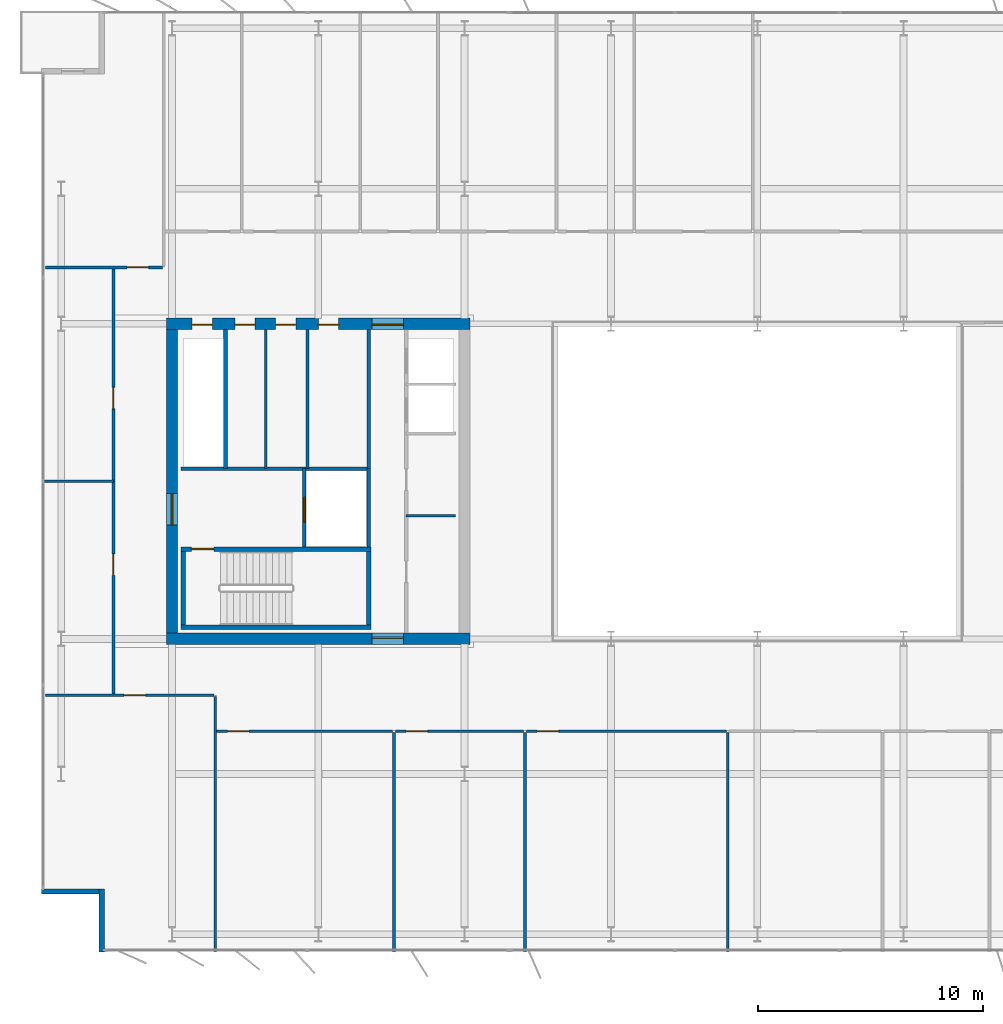
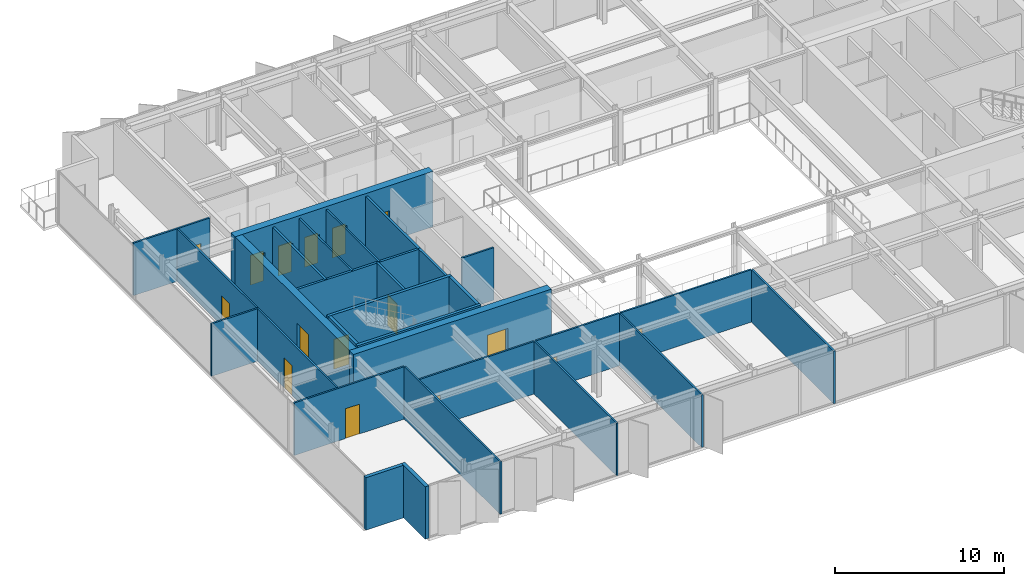
# One storey, part 13 of 21: 29 walls, 16 doors, 16 openings.
"""IFC4 building model written with IfcOpenShell, lengths in metres."""

from ifc_helpers import new_model, si_unit, direction, frame, frame_2d, origin, place, context, subcontext, project, spatial, rectangle, extrude, material, layer, layer_set, type_object, element, fill, save


model = new_model("IFC4")

# Units and contexts
model_context = context("Model", 3, precision=1e-05, world=origin(), true_north=direction((0.0, 1.0)))
body_context = subcontext(model_context, "Body", "Model", "MODEL_VIEW")
ifc_project = project(units=[si_unit("LENGTHUNIT", "METRE"), si_unit("AREAUNIT", "SQUARE_METRE"), si_unit("VOLUMEUNIT", "CUBIC_METRE"), si_unit("PLANEANGLEUNIT", "RADIAN"), si_unit("MASSUNIT", "GRAM", prefix="KILO")], contexts=[model_context])

# Site, building, storey
site_placement = place(None, origin())
site = spatial("IfcSite", under=ifc_project, at=site_placement, CompositionType="ELEMENT")
building_placement = place(site_placement, origin())
building = spatial("IfcBuilding", under=site, at=building_placement, Name="Putna Gate Headquarters", CompositionType="ELEMENT")
storey_placement = place(building_placement, frame((0.0, 0.0, 278.39990234375)))
storey = spatial("IfcBuildingStorey", under=building, at=storey_placement, Name="L70", CompositionType="ELEMENT", Elevation=278.39990234375)

# Wall, opening, door
ifc_material_1 = material(Name="Concrete C50/60", Category="concrete")
ifc_layer_1 = layer(ifc_material_1, 0.5)
ifc_layer_set_1 = layer_set([ifc_layer_1], Name="Concrete C50/60")
wall_type_1 = type_object("IfcWallType", Name="WALL-CORE-500", PredefinedType="SHEAR", material=ifc_layer_set_1)
wall_1_placement = place(storey_placement, frame((12.75, 19.0, 0.0), z_axis=(0.0, 0.0, 1.0), x_axis=(1.0, 0.0, 0.0)))
wall_1 = element("IfcWall", 1, at=wall_1_placement, inside=storey, type_object=wall_type_1, Name="L70 WC Split Core Shear Wall S", PredefinedType="SHEAR", context=body_context, shape_type="SweptSolid", body=[
    extrude(rectangle(XDim=13.5, YDim=0.5, at=frame_2d((6.75, 0.0))), origin(), (0.0, 0.0, 1.0), 4.0),
])
opening_1_placement = place(wall_1_placement, frame((9.1298828125, 0.0, 0.0)))
opening_1 = element("IfcOpeningElement", 2, at=opening_1_placement, cuts=wall_1, Name="Opening FDD-140", PredefinedType="OPENING", context=body_context, shape_type="SweptSolid", body=[
    extrude(rectangle(XDim=1.39990234375, YDim=2.199951171875, at=frame_2d((0.699951171875, 1.10009765625))), frame((0.0, 0.260009765625, 0.0), z_axis=(0.0, -1.0, 0.0), x_axis=(1.0, 0.0, 0.0)), (0.0, 0.0, 1.0), 0.52001953125),
])
ifc_material_2 = material(Name="Double steel fire door", Category="steel")
door_type_1 = type_object("IfcDoorType", Name="DOOR-FIRE-DBL-1400", OperationType="DOUBLE_DOOR_SINGLE_SWING", PredefinedType="DOOR", material=ifc_material_2)
door_1_placement = place(opening_1_placement, origin())
door_1 = element("IfcDoor", 3, at=door_1_placement, inside=storey, type_object=door_type_1, Name="L70 West Lift Lobby South Door", OperationType="DOUBLE_DOOR_SINGLE_SWING", OverallHeight=2.199951171875, OverallWidth=1.39990234375, PredefinedType="DOOR", context=body_context, shape_type="SweptSolid", body=[
    extrude(rectangle(XDim=1.39990234375, YDim=2.199951171875, at=frame_2d((0.699951171875, 1.10009765625))), frame((0.0, 0.0751953125, 0.0), z_axis=(0.0, -1.0, 0.0), x_axis=(1.0, 0.0, 0.0)), (0.0, 0.0, 1.0), 0.050048828125),
])
fill(opening_1, door_1)

# Wall, openings, doors
wall_2_placement = place(storey_placement, frame((12.75, 33.0, 0.0), z_axis=(0.0, 0.0, 1.0), x_axis=(1.0, 0.0, 0.0)))
wall_2 = element("IfcWall", 4, at=wall_2_placement, inside=storey, type_object=wall_type_1, Name="L70 WC Split Core Shear Wall N", PredefinedType="SHEAR", context=body_context, shape_type="SweptSolid", body=[
    extrude(rectangle(XDim=13.5, YDim=0.5, at=frame_2d((6.75, 0.0))), origin(), (0.0, 0.0, 1.0), 4.0),
])
opening_2_placement = place(wall_2_placement, frame((1.14990234375, 0.0, 0.0)))
opening_2 = element("IfcOpeningElement", 5, at=opening_2_placement, cuts=wall_2, Name="Opening RD-90", PredefinedType="OPENING", context=body_context, shape_type="SweptSolid", body=[
    extrude(rectangle(XDim=0.89990234375, YDim=2.14990234375, at=frame_2d((0.449951171875, 1.074951171875))), frame((0.0, 0.260009765625, 0.0), z_axis=(0.0, -1.0, 0.0), x_axis=(1.0, 0.0, 0.0)), (0.0, 0.0, 1.0), 0.52001953125),
])
opening_3_placement = place(wall_2_placement, frame((3.050048828125, 0.0, 0.0)))
opening_3 = element("IfcOpeningElement", 6, at=opening_3_placement, cuts=wall_2, Name="Opening IDS-90", PredefinedType="OPENING", context=body_context, shape_type="SweptSolid", body=[
    extrude(rectangle(XDim=0.89990234375, YDim=2.14990234375, at=frame_2d((0.449951171875, 1.074951171875))), frame((0.0, 0.260009765625, 0.0), z_axis=(0.0, -1.0, 0.0), x_axis=(1.0, 0.0, 0.0)), (0.0, 0.0, 1.0), 0.52001953125),
])
opening_4_placement = place(wall_2_placement, frame((4.85009765625, 0.0, 0.0)))
opening_4 = element("IfcOpeningElement", 7, at=opening_4_placement, cuts=wall_2, Name="Opening IDS-90", PredefinedType="OPENING", context=body_context, shape_type="SweptSolid", body=[
    extrude(rectangle(XDim=0.89990234375, YDim=2.14990234375, at=frame_2d((0.449951171875, 1.074951171875))), frame((0.0, 0.260009765625, 0.0), z_axis=(0.0, -1.0, 0.0), x_axis=(1.0, 0.0, 0.0)), (0.0, 0.0, 1.0), 0.52001953125),
])
opening_5_placement = place(wall_2_placement, frame((6.75, 0.0, 0.0)))
opening_5 = element("IfcOpeningElement", 8, at=opening_5_placement, cuts=wall_2, Name="Opening IDS-90", PredefinedType="OPENING", context=body_context, shape_type="SweptSolid", body=[
    extrude(rectangle(XDim=0.89990234375, YDim=2.14990234375, at=frame_2d((0.449951171875, 1.074951171875))), frame((0.0, 0.260009765625, 0.0), z_axis=(0.0, -1.0, 0.0), x_axis=(1.0, 0.0, 0.0)), (0.0, 0.0, 1.0), 0.52001953125),
])
opening_6_placement = place(wall_2_placement, frame((9.1298828125, 0.0, 0.0)))
opening_6 = element("IfcOpeningElement", 9, at=opening_6_placement, cuts=wall_2, Name="Opening FDD-140", PredefinedType="OPENING", context=body_context, shape_type="SweptSolid", body=[
    extrude(rectangle(XDim=1.39990234375, YDim=2.199951171875, at=frame_2d((0.699951171875, 1.10009765625))), frame((0.0, 0.260009765625, 0.0), z_axis=(0.0, -1.0, 0.0), x_axis=(1.0, 0.0, 0.0)), (0.0, 0.0, 1.0), 0.52001953125),
])
door_2_placement = place(opening_6_placement, origin())
door_2 = element("IfcDoor", 10, at=door_2_placement, inside=storey, type_object=door_type_1, Name="L70 West Lift Lobby North Door", OperationType="DOUBLE_DOOR_SINGLE_SWING", OverallHeight=2.199951171875, OverallWidth=1.39990234375, PredefinedType="DOOR", context=body_context, shape_type="SweptSolid", body=[
    extrude(rectangle(XDim=1.39990234375, YDim=2.199951171875, at=frame_2d((0.699951171875, 1.10009765625))), frame((0.0, -0.02490234375, 0.0), z_axis=(0.0, -1.0, 0.0), x_axis=(1.0, 0.0, 0.0)), (0.0, 0.0, 1.0), 0.050048828125),
])
fill(opening_6, door_2)
ifc_material_3 = material(Name="Fire-rated utility door")
door_type_2 = type_object("IfcDoorType", Name="DOOR-INT-900", OperationType="NOTDEFINED", PredefinedType="DOOR", material=ifc_material_3)
door_3_placement = place(opening_3_placement, origin())
door_3 = element("IfcDoor", 11, at=door_3_placement, inside=storey, type_object=door_type_2, Name="L70 Janitor Cupboard Door", OperationType="SINGLE_SWING_LEFT", OverallHeight=2.14990234375, OverallWidth=0.89990234375, PredefinedType="DOOR", context=body_context, shape_type="SweptSolid", body=[
    extrude(rectangle(XDim=0.89990234375, YDim=2.14990234375, at=frame_2d((0.449951171875, 1.074951171875))), frame((0.0, -0.02490234375, 0.0), z_axis=(0.0, -1.0, 0.0), x_axis=(1.0, 0.0, 0.0)), (0.0, 0.0, 1.0), 0.050048828125),
])
fill(opening_3, door_3)
door_4_placement = place(opening_4_placement, origin())
door_4 = element("IfcDoor", 12, at=door_4_placement, inside=storey, type_object=door_type_2, Name="L70 IT Patch Plant Door", OperationType="SINGLE_SWING_RIGHT", OverallHeight=2.14990234375, OverallWidth=0.89990234375, PredefinedType="DOOR", context=body_context, shape_type="SweptSolid", body=[
    extrude(rectangle(XDim=0.89990234375, YDim=2.14990234375, at=frame_2d((0.449951171875, 1.074951171875))), frame((0.0, -0.02490234375, 0.0), z_axis=(0.0, -1.0, 0.0), x_axis=(1.0, 0.0, 0.0)), (0.0, 0.0, 1.0), 0.050048828125),
])
fill(opening_4, door_4)
door_5_placement = place(opening_5_placement, origin())
door_5 = element("IfcDoor", 13, at=door_5_placement, inside=storey, type_object=door_type_2, Name="L70 Building Records Store Door", OperationType="SINGLE_SWING_LEFT", OverallHeight=2.14990234375, OverallWidth=0.89990234375, PredefinedType="DOOR", context=body_context, shape_type="SweptSolid", body=[
    extrude(rectangle(XDim=0.89990234375, YDim=2.14990234375, at=frame_2d((0.449951171875, 1.074951171875))), frame((0.0, -0.02490234375, 0.0), z_axis=(0.0, -1.0, 0.0), x_axis=(1.0, 0.0, 0.0)), (0.0, 0.0, 1.0), 0.050048828125),
])
fill(opening_5, door_5)
ifc_material_4 = material(Name="Steel riser access fire door", Category="steel")
door_type_3 = type_object("IfcDoorType", Name="DOOR-RISER-900", OperationType="NOTDEFINED", PredefinedType="DOOR", material=ifc_material_4)
door_6_placement = place(opening_2_placement, origin())
door_6 = element("IfcDoor", 14, at=door_6_placement, inside=storey, type_object=door_type_3, Name="L70 West Riser Access Door", OperationType="SINGLE_SWING_RIGHT", OverallHeight=2.14990234375, OverallWidth=0.89990234375, PredefinedType="DOOR", context=body_context, shape_type="SweptSolid", body=[
    extrude(rectangle(XDim=0.89990234375, YDim=2.14990234375, at=frame_2d((0.449951171875, 1.074951171875))), frame((0.0, -0.02490234375, 0.0), z_axis=(0.0, -1.0, 0.0), x_axis=(1.0, 0.0, 0.0)), (0.0, 0.0, 1.0), 0.050048828125),
])
fill(opening_2, door_6)

# Wall, opening, door
wall_3_placement = place(storey_placement, frame((13.0, 19.25, 0.0), z_axis=(0.0, 0.0, 1.0), x_axis=(0.0, 1.0, 0.0)))
wall_3 = element("IfcWall", 15, at=wall_3_placement, inside=storey, type_object=wall_type_1, Name="L70 WC Split Core Shear Wall W", PredefinedType="SHEAR", context=body_context, shape_type="SweptSolid", body=[
    extrude(rectangle(XDim=13.5, YDim=0.5, at=frame_2d((6.75, 0.0))), origin(), (0.0, 0.0, 1.0), 4.0),
])
opening_7_placement = place(wall_3_placement, frame((4.800048828125, 0.0, 0.0)))
opening_7 = element("IfcOpeningElement", 16, at=opening_7_placement, cuts=wall_3, Name="Opening FDD-140", PredefinedType="OPENING", context=body_context, shape_type="SweptSolid", body=[
    extrude(rectangle(XDim=1.39990234375, YDim=2.199951171875, at=frame_2d((0.699951171875, 1.10009765625))), frame((0.0, 0.260009765625, 0.0), z_axis=(0.0, -1.0, 0.0), x_axis=(1.0, 0.0, 0.0)), (0.0, 0.0, 1.0), 0.52001953125),
])
door_7_placement = place(opening_7_placement, origin())
door_7 = element("IfcDoor", 17, at=door_7_placement, inside=storey, type_object=door_type_1, Name="L70 West Firefighting Lobby Door", OperationType="DOUBLE_DOOR_SINGLE_SWING", OverallHeight=2.199951171875, OverallWidth=1.39990234375, PredefinedType="DOOR", context=body_context, shape_type="SweptSolid", body=[
    extrude(rectangle(XDim=1.39990234375, YDim=2.199951171875, at=frame_2d((0.699951171875, 1.10009765625))), frame((0.0, 0.02490234375, 0.0), z_axis=(0.0, -1.0, 0.0), x_axis=(1.0, 0.0, 0.0)), (0.0, 0.0, 1.0), 0.050048828125),
])
fill(opening_7, door_7)

# Walls
ifc_material_5 = material(Name="Precast concrete C40/50", Category="concrete")
ifc_layer_2 = layer(ifc_material_5, 0.239990234375)
ifc_layer_set_2 = layer_set([ifc_layer_2], Name="Precast concrete C40/50")
wall_type_2 = type_object("IfcWallType", Name="WALL-EXT-TERR-240", PredefinedType="STANDARD", material=ifc_layer_set_2)
wall_4_placement = place(storey_placement, frame((9.8798828125, 5.10009765625, 0.0), z_axis=(0.0, 0.0, 1.0), x_axis=(0.0, 1.0, 0.0)))
element("IfcWall", 18, at=wall_4_placement, inside=storey, type_object=wall_type_2, Name="L70 Corner Notch Return Wall SW-V", PredefinedType="STANDARD", context=body_context, shape_type="SweptSolid", body=[
    extrude(rectangle(XDim=2.7998046875, YDim=0.239990234375, at=frame_2d((1.39990234375, 0.0))), origin(), (0.0, 0.0, 1.0), 3.7880859375),
])
wall_5_placement = place(storey_placement, frame((10.0, 7.780029296875, 0.0), z_axis=(0.0, 0.0, 1.0), x_axis=(-1.0, 0.0, 0.0)))
element("IfcWall", 19, at=wall_5_placement, inside=storey, type_object=wall_type_2, Name="L70 Corner Notch Return Wall SW-H", PredefinedType="STANDARD", context=body_context, shape_type="SweptSolid", body=[
    extrude(rectangle(XDim=2.800048828125, YDim=0.239990234375, at=frame_2d((1.39990234375, 0.0))), origin(), (0.0, 0.0, 1.0), 3.7880859375),
])
ifc_material_6 = material(Name="Acoustic gypsum board on metal stud")
ifc_layer_3 = layer(ifc_material_6, 0.1201171875)
ifc_layer_set_3 = layer_set([ifc_layer_3], Name="Acoustic gypsum board on metal stud")
wall_type_3 = type_object("IfcWallType", Name="WALL-PART-120", PredefinedType="PARTITIONING", material=ifc_layer_set_3)
wall_6_placement = place(storey_placement, frame((14.929443359375, 5.1201171875, 0.0), z_axis=(0.0, 0.0, 1.0), x_axis=(0.0, 1.0, 0.0)))
element("IfcWall", 20, at=wall_6_placement, inside=storey, type_object=wall_type_3, Name="L70 Interior Wall PART-L70-SB-DIV-01", PredefinedType="PARTITIONING", context=body_context, shape_type="SweptSolid", body=[
    extrude(rectangle(XDim=11.31982421875, YDim=0.1201171875, at=frame_2d((5.659912109375, 0.0))), origin(), (0.0, 0.0, 1.0), 3.7880859375),
])
for number, where, z_axis, x_axis, name in (
    (21, (22.866943359375, 5.1201171875, 0.0), (0.0, 0.0, 1.0), (0.0, 1.0, 0.0), "L70 Interior Wall PART-L70-SB-DIV-02"),
    (22, (28.682861328125, 5.1201171875, 0.0), (0.0, 0.0, 1.0), (0.0, 1.0, 0.0), "L70 Interior Wall PART-L70-SB-DIV-03"),
    (23, (37.687744140625, 5.1201171875, 0.0), (0.0, 0.0, 1.0), (0.0, 1.0, 0.0), "L70 Interior Wall PART-L70-SB-DIV-04"),
):
    element("IfcWall", number, at=place(storey_placement, frame(where, z_axis=z_axis, x_axis=x_axis)), inside=storey, type_object=wall_type_3, Name=name, PredefinedType="PARTITIONING", context=body_context, shape_type="SweptSolid", body=[
        extrude(rectangle(XDim=9.719970703125, YDim=0.1201171875, at=frame_2d((4.85986328125, 0.0))), origin(), (0.0, 0.0, 1.0), 3.7880859375),
    ])
wall_7_placement = place(storey_placement, frame((7.219970703125, 26.0, 0.0), z_axis=(0.0, 0.0, 1.0), x_axis=(1.0, 0.0, 0.0)))
element("IfcWall", 24, at=wall_7_placement, inside=storey, type_object=wall_type_3, Name="L70 Interior Wall PART-L70-WW-DIV-1", PredefinedType="PARTITIONING", context=body_context, shape_type="SweptSolid", body=[
    extrude(rectangle(XDim=3.179931640625, YDim=0.1201171875, at=frame_2d((1.58984375, 0.0))), origin(), (0.0, 0.0, 1.0), 3.7880859375),
])
ifc_material_7 = material(Name="Fire-rated gypsum board on metal stud")
ifc_layer_4 = layer(ifc_material_7, 0.1201171875)
ifc_layer_set_4 = layer_set([ifc_layer_4], Name="Fire-rated gypsum board on metal stud")
wall_type_4 = type_object("IfcWallType", Name="WALL-PART-120-RATED", PredefinedType="PARTITIONING", material=ifc_layer_set_4)
for number, where, z_axis, x_axis, name in (
    (25, (17.169921875, 26.56005859375, 0.0), (0.0, 0.0, 1.0), (0.0, 1.0, 0.0), "L70 Interior Wall CWINT-L70-WC-K2-D1"),
    (26, (19.02001953125, 26.56005859375, 0.0), (0.0, 0.0, 1.0), (0.0, 1.0, 0.0), "L70 Interior Wall CWINT-L70-WC-K2-D2"),
):
    element("IfcWall", number, at=place(storey_placement, frame(where, z_axis=z_axis, x_axis=x_axis)), inside=storey, type_object=wall_type_4, Name=name, PredefinedType="PARTITIONING", context=body_context, shape_type="SweptSolid", body=[
        extrude(rectangle(XDim=6.18994140625, YDim=0.1201171875, at=frame_2d((3.094970703125, 0.0))), origin(), (0.0, 0.0, 1.0), 3.7880859375),
    ])
wall_8_placement = place(storey_placement, frame((23.39990234375, 24.469970703125, 0.0), z_axis=(0.0, 0.0, 1.0), x_axis=(1.0, 0.0, 0.0)))
element("IfcWall", 27, at=wall_8_placement, inside=storey, type_object=wall_type_4, Name="L70 Interior Wall CWINT-L70-WC-REUSE-DIV", PredefinedType="PARTITIONING", context=body_context, shape_type="SweptSolid", body=[
    extrude(rectangle(XDim=2.2001953125, YDim=0.1201171875, at=frame_2d((1.10009765625, 0.0))), origin(), (0.0, 0.0, 1.0), 3.7880859375),
])

# Wall, opening, door
wall_9_placement = place(storey_placement, frame((7.3798828125, 35.5, 0.0), z_axis=(0.0, 0.0, 1.0), x_axis=(1.0, 0.0, 0.0)))
wall_9 = element("IfcWall", 28, at=wall_9_placement, inside=storey, type_object=wall_type_4, Name="L70 Interior Wall PART-L70-NB-CW-01", PredefinedType="PARTITIONING", context=body_context, shape_type="SweptSolid", body=[
    extrude(rectangle(XDim=5.197998046875, YDim=0.1201171875, at=frame_2d((2.59912109375, 0.0))), origin(), (0.0, 0.0, 1.0), 3.7880859375),
])
opening_8_placement = place(wall_9_placement, frame((3.634033203125, 0.0, 0.0)))
opening_8 = element("IfcOpeningElement", 29, at=opening_8_placement, cuts=wall_9, Name="Opening FD-95", PredefinedType="OPENING", context=body_context, shape_type="SweptSolid", body=[
    extrude(rectangle(XDim=0.949951171875, YDim=2.14990234375, at=frame_2d((0.47509765625, 1.074951171875))), frame((0.0, 0.070068359375, 0.0), z_axis=(0.0, -1.0, 0.0), x_axis=(1.0, 0.0, 0.0)), (0.0, 0.0, 1.0), 0.14013671875),
])
ifc_material_8 = material(Name="Acoustic timber fire door", Category="wood")
door_type_4 = type_object("IfcDoorType", Name="DOOR-FIRE-950", OperationType="NOTDEFINED", PredefinedType="DOOR", material=ifc_material_8)
door_8_placement = place(opening_8_placement, origin())
door_8 = element("IfcDoor", 30, at=door_8_placement, inside=storey, type_object=door_type_4, Name="L70 Collaborative Breakout Lounge 3 Door", OperationType="SINGLE_SWING_RIGHT", OverallHeight=2.14990234375, OverallWidth=0.949951171875, PredefinedType="DOOR", context=body_context, shape_type="SweptSolid", body=[
    extrude(rectangle(XDim=0.949951171875, YDim=2.14990234375, at=frame_2d((0.47509765625, 1.074951171875))), frame((0.0, 0.02490234375, 0.0), z_axis=(0.0, -1.0, 0.0), x_axis=(1.0, 0.0, 0.0)), (0.0, 0.0, 1.0), 0.050048828125),
])
fill(opening_8, door_8)

wall_10_placement = place(storey_placement, frame((7.3798828125, 16.5, 0.0), z_axis=(0.0, 0.0, 1.0), x_axis=(1.0, 0.0, 0.0)))
wall_10 = element("IfcWall", 31, at=wall_10_placement, inside=storey, type_object=wall_type_4, Name="L70 Interior Wall PART-L70-SB-CW-01", PredefinedType="PARTITIONING", context=body_context, shape_type="SweptSolid", body=[
    extrude(rectangle(XDim=7.489501953125, YDim=0.1201171875, at=frame_2d((3.74462890625, 0.0))), origin(), (0.0, 0.0, 1.0), 3.7880859375),
])
opening_9_placement = place(wall_10_placement, frame((3.5, 0.0, 0.0)))
opening_9 = element("IfcOpeningElement", 32, at=opening_9_placement, cuts=wall_10, Name="Opening FD-95", PredefinedType="OPENING", context=body_context, shape_type="SweptSolid", body=[
    extrude(rectangle(XDim=0.949951171875, YDim=2.14990234375, at=frame_2d((0.47509765625, 1.074951171875))), frame((0.0, 0.070068359375, 0.0), z_axis=(0.0, -1.0, 0.0), x_axis=(1.0, 0.0, 0.0)), (0.0, 0.0, 1.0), 0.14013671875),
])
door_9_placement = place(opening_9_placement, origin())
door_9 = element("IfcDoor", 33, at=door_9_placement, inside=storey, type_object=door_type_4, Name="L70 Cellular Office 1 Door", OperationType="SINGLE_SWING_LEFT", OverallHeight=2.14990234375, OverallWidth=0.949951171875, PredefinedType="DOOR", context=body_context, shape_type="SweptSolid", body=[
    extrude(rectangle(XDim=0.949951171875, YDim=2.14990234375, at=frame_2d((0.47509765625, 1.074951171875))), frame((0.0, 0.02490234375, 0.0), z_axis=(0.0, -1.0, 0.0), x_axis=(1.0, 0.0, 0.0)), (0.0, 0.0, 1.0), 0.050048828125),
])
fill(opening_9, door_9)

wall_11_placement = place(storey_placement, frame((14.989501953125, 14.89990234375, 0.0), z_axis=(0.0, 0.0, 1.0), x_axis=(1.0, 0.0, 0.0)))
wall_11 = element("IfcWall", 34, at=wall_11_placement, inside=storey, type_object=wall_type_4, Name="L70 Interior Wall PART-L70-SB-CW-02", PredefinedType="PARTITIONING", context=body_context, shape_type="SweptSolid", body=[
    extrude(rectangle(XDim=7.8173828125, YDim=0.1201171875, at=frame_2d((3.90869140625, 0.0))), origin(), (0.0, 0.0, 1.0), 3.7880859375),
])
opening_10_placement = place(wall_11_placement, frame((0.47998046875, 0.0, 0.0)))
opening_10 = element("IfcOpeningElement", 35, at=opening_10_placement, cuts=wall_11, Name="Opening FD-95", PredefinedType="OPENING", context=body_context, shape_type="SweptSolid", body=[
    extrude(rectangle(XDim=0.949951171875, YDim=2.14990234375, at=frame_2d((0.47509765625, 1.074951171875))), frame((0.0, 0.070068359375, 0.0), z_axis=(0.0, -1.0, 0.0), x_axis=(1.0, 0.0, 0.0)), (0.0, 0.0, 1.0), 0.14013671875),
])
door_10_placement = place(opening_10_placement, origin())
door_10 = element("IfcDoor", 36, at=door_10_placement, inside=storey, type_object=door_type_4, Name="L70 Conference Meeting Room 2 Door", OperationType="SINGLE_SWING_RIGHT", OverallHeight=2.14990234375, OverallWidth=0.949951171875, PredefinedType="DOOR", context=body_context, shape_type="SweptSolid", body=[
    extrude(rectangle(XDim=0.949951171875, YDim=2.14990234375, at=frame_2d((0.47509765625, 1.074951171875))), frame((0.0, 0.02490234375, 0.0), z_axis=(0.0, -1.0, 0.0), x_axis=(1.0, 0.0, 0.0)), (0.0, 0.0, 1.0), 0.050048828125),
])
fill(opening_10, door_10)

wall_12_placement = place(storey_placement, frame((22.927001953125, 14.89990234375, 0.0), z_axis=(0.0, 0.0, 1.0), x_axis=(1.0, 0.0, 0.0)))
wall_12 = element("IfcWall", 37, at=wall_12_placement, inside=storey, type_object=wall_type_4, Name="L70 Interior Wall PART-L70-SB-CW-03", PredefinedType="PARTITIONING", context=body_context, shape_type="SweptSolid", body=[
    extrude(rectangle(XDim=5.69580078125, YDim=0.1201171875, at=frame_2d((2.847900390625, 0.0))), origin(), (0.0, 0.0, 1.0), 3.7880859375),
])
opening_11_placement = place(wall_12_placement, frame((0.47998046875, 0.0, 0.0)))
opening_11 = element("IfcOpeningElement", 38, at=opening_11_placement, cuts=wall_12, Name="Opening FD-95", PredefinedType="OPENING", context=body_context, shape_type="SweptSolid", body=[
    extrude(rectangle(XDim=0.949951171875, YDim=2.14990234375, at=frame_2d((0.47509765625, 1.074951171875))), frame((0.0, 0.070068359375, 0.0), z_axis=(0.0, -1.0, 0.0), x_axis=(1.0, 0.0, 0.0)), (0.0, 0.0, 1.0), 0.14013671875),
])
door_11_placement = place(opening_11_placement, origin())
door_11 = element("IfcDoor", 39, at=door_11_placement, inside=storey, type_object=door_type_4, Name="L70 Conference Meeting Room 3 Door", OperationType="SINGLE_SWING_LEFT", OverallHeight=2.14990234375, OverallWidth=0.949951171875, PredefinedType="DOOR", context=body_context, shape_type="SweptSolid", body=[
    extrude(rectangle(XDim=0.949951171875, YDim=2.14990234375, at=frame_2d((0.47509765625, 1.074951171875))), frame((0.0, 0.02490234375, 0.0), z_axis=(0.0, -1.0, 0.0), x_axis=(1.0, 0.0, 0.0)), (0.0, 0.0, 1.0), 0.050048828125),
])
fill(opening_11, door_11)

wall_13_placement = place(storey_placement, frame((28.742919921875, 14.89990234375, 0.0), z_axis=(0.0, 0.0, 1.0), x_axis=(1.0, 0.0, 0.0)))
wall_13 = element("IfcWall", 40, at=wall_13_placement, inside=storey, type_object=wall_type_4, Name="L70 Interior Wall PART-L70-SB-CW-04", PredefinedType="PARTITIONING", context=body_context, shape_type="SweptSolid", body=[
    extrude(rectangle(XDim=8.884765625, YDim=0.1201171875, at=frame_2d((4.4423828125, 0.0))), origin(), (0.0, 0.0, 1.0), 3.7880859375),
])
opening_12_placement = place(wall_13_placement, frame((0.47998046875, 0.0, 0.0)))
opening_12 = element("IfcOpeningElement", 41, at=opening_12_placement, cuts=wall_13, Name="Opening FD-95", PredefinedType="OPENING", context=body_context, shape_type="SweptSolid", body=[
    extrude(rectangle(XDim=0.949951171875, YDim=2.14990234375, at=frame_2d((0.47509765625, 1.074951171875))), frame((0.0, 0.070068359375, 0.0), z_axis=(0.0, -1.0, 0.0), x_axis=(1.0, 0.0, 0.0)), (0.0, 0.0, 1.0), 0.14013671875),
])
door_12_placement = place(opening_12_placement, origin())
door_12 = element("IfcDoor", 42, at=door_12_placement, inside=storey, type_object=door_type_4, Name="L70 Conference Meeting Room 4 Door", OperationType="SINGLE_SWING_RIGHT", OverallHeight=2.14990234375, OverallWidth=0.949951171875, PredefinedType="DOOR", context=body_context, shape_type="SweptSolid", body=[
    extrude(rectangle(XDim=0.949951171875, YDim=2.14990234375, at=frame_2d((0.47509765625, 1.074951171875))), frame((0.0, 0.02490234375, 0.0), z_axis=(0.0, -1.0, 0.0), x_axis=(1.0, 0.0, 0.0)), (0.0, 0.0, 1.0), 0.050048828125),
])
fill(opening_12, door_12)

wall_14_placement = place(storey_placement, frame((10.39990234375, 16.5, 0.0), z_axis=(0.0, 0.0, 1.0), x_axis=(0.0, 1.0, 0.0)))
wall_14 = element("IfcWall", 43, at=wall_14_placement, inside=storey, type_object=wall_type_4, Name="L70 Interior Wall PART-L70-WW-CW-1", PredefinedType="PARTITIONING", context=body_context, shape_type="SweptSolid", body=[
    extrude(rectangle(XDim=9.5, YDim=0.1201171875, at=frame_2d((4.75, 0.0))), origin(), (0.0, 0.0, 1.0), 3.7880859375),
])
opening_13_placement = place(wall_14_placement, frame((5.324951171875, 0.0, 0.0)))
opening_13 = element("IfcOpeningElement", 44, at=opening_13_placement, cuts=wall_14, Name="Opening FD-95", PredefinedType="OPENING", context=body_context, shape_type="SweptSolid", body=[
    extrude(rectangle(XDim=0.949951171875, YDim=2.14990234375, at=frame_2d((0.47509765625, 1.074951171875))), frame((0.0, 0.070068359375, 0.0), z_axis=(0.0, -1.0, 0.0), x_axis=(1.0, 0.0, 0.0)), (0.0, 0.0, 1.0), 0.14013671875),
])
door_13_placement = place(opening_13_placement, origin())
door_13 = element("IfcDoor", 45, at=door_13_placement, inside=storey, type_object=door_type_4, Name="L70 West Executive Office 1 Door", OperationType="SINGLE_SWING_RIGHT", OverallHeight=2.14990234375, OverallWidth=0.949951171875, PredefinedType="DOOR", context=body_context, shape_type="SweptSolid", body=[
    extrude(rectangle(XDim=0.949951171875, YDim=2.14990234375, at=frame_2d((0.47509765625, 1.074951171875))), frame((0.0, 0.02490234375, 0.0), z_axis=(0.0, -1.0, 0.0), x_axis=(1.0, 0.0, 0.0)), (0.0, 0.0, 1.0), 0.050048828125),
])
fill(opening_13, door_13)

wall_15_placement = place(storey_placement, frame((10.39990234375, 26.0, 0.0), z_axis=(0.0, 0.0, 1.0), x_axis=(0.0, 1.0, 0.0)))
wall_15 = element("IfcWall", 46, at=wall_15_placement, inside=storey, type_object=wall_type_4, Name="L70 Interior Wall PART-L70-WW-CW-2", PredefinedType="PARTITIONING", context=body_context, shape_type="SweptSolid", body=[
    extrude(rectangle(XDim=9.5, YDim=0.1201171875, at=frame_2d((4.75, 0.0))), origin(), (0.0, 0.0, 1.0), 3.7880859375),
])
opening_14_placement = place(wall_15_placement, frame((3.22509765625, 0.0, 0.0)))
opening_14 = element("IfcOpeningElement", 47, at=opening_14_placement, cuts=wall_15, Name="Opening FD-95", PredefinedType="OPENING", context=body_context, shape_type="SweptSolid", body=[
    extrude(rectangle(XDim=0.949951171875, YDim=2.14990234375, at=frame_2d((0.47509765625, 1.074951171875))), frame((0.0, 0.070068359375, 0.0), z_axis=(0.0, -1.0, 0.0), x_axis=(1.0, 0.0, 0.0)), (0.0, 0.0, 1.0), 0.14013671875),
])
door_14_placement = place(opening_14_placement, origin())
door_14 = element("IfcDoor", 48, at=door_14_placement, inside=storey, type_object=door_type_4, Name="L70 West Executive Office 2 Door", OperationType="SINGLE_SWING_LEFT", OverallHeight=2.14990234375, OverallWidth=0.949951171875, PredefinedType="DOOR", context=body_context, shape_type="SweptSolid", body=[
    extrude(rectangle(XDim=0.949951171875, YDim=2.14990234375, at=frame_2d((0.47509765625, 1.074951171875))), frame((0.0, 0.02490234375, 0.0), z_axis=(0.0, -1.0, 0.0), x_axis=(1.0, 0.0, 0.0)), (0.0, 0.0, 1.0), 0.050048828125),
])
fill(opening_14, door_14)

# Wall
ifc_material_9 = material(Name="Concrete C40/50", Category="concrete")
ifc_layer_5 = layer(ifc_material_9, 0.159912109375)
ifc_layer_set_5 = layer_set([ifc_layer_5], Name="Concrete C40/50")
wall_type_5 = type_object("IfcWallType", Name="WALL-SHAFT-160", PredefinedType="STANDARD", material=ifc_layer_set_5)
wall_16_placement = place(storey_placement, frame((21.739990234375, 23.090087890625, 0.0), z_axis=(0.0, 0.0, 1.0), x_axis=(0.0, 1.0, 0.0)))
element("IfcWall", 49, at=wall_16_placement, inside=storey, type_object=wall_type_5, Name="L70 Interior Wall CWINT-L70-WC-FFL-E", PredefinedType="STANDARD", context=body_context, shape_type="SweptSolid", body=[
    extrude(rectangle(XDim=3.469970703125, YDim=0.159912109375, at=frame_2d((1.73486328125, 0.0))), origin(), (0.0, 0.0, 1.0), 3.7880859375),
])

# Wall, opening, door
wall_17_placement = place(storey_placement, frame((18.8798828125, 23.090087890625, 0.0), z_axis=(0.0, 0.0, 1.0), x_axis=(0.0, 1.0, 0.0)))
wall_17 = element("IfcWall", 50, at=wall_17_placement, inside=storey, type_object=wall_type_5, Name="L70 Interior Wall CWINT-L70-WC-LF13-W", PredefinedType="STANDARD", context=body_context, shape_type="SweptSolid", body=[
    extrude(rectangle(XDim=3.469970703125, YDim=0.159912109375, at=frame_2d((1.73486328125, 0.0))), origin(), (0.0, 0.0, 1.0), 3.7880859375),
])
opening_15_placement = place(wall_17_placement, frame((1.10009765625, 0.0, 0.0)))
opening_15 = element("IfcOpeningElement", 51, at=opening_15_placement, cuts=wall_17, Name="Opening LD-1", PredefinedType="OPENING", context=body_context, shape_type="SweptSolid", body=[
    extrude(rectangle(XDim=1.10009765625, YDim=2.199951171875, at=frame_2d((0.550048828125, 1.10009765625))), frame((0.0, 0.08984375, 0.0), z_axis=(0.0, -1.0, 0.0), x_axis=(1.0, 0.0, 0.0)), (0.0, 0.0, 1.0), 0.179931640625),
])
ifc_material_10 = material(Name="Brushed bronze stainless lift landing door")
door_type_5 = type_object("IfcDoorType", Name="DOOR-LIFT-1100", OperationType="DOUBLE_DOOR_SLIDING", PredefinedType="DOOR", material=ifc_material_10)
door_15_placement = place(opening_15_placement, origin())
door_15 = element("IfcDoor", 52, at=door_15_placement, inside=storey, type_object=door_type_5, Name="L70 Lift Landing Door LD-13", OperationType="DOUBLE_DOOR_SLIDING", OverallHeight=2.199951171875, OverallWidth=1.10009765625, PredefinedType="DOOR", context=body_context, shape_type="SweptSolid", body=[
    extrude(rectangle(XDim=1.10009765625, YDim=2.199951171875, at=frame_2d((0.550048828125, 1.10009765625))), frame((0.0, 0.02490234375, 0.0), z_axis=(0.0, -1.0, 0.0), x_axis=(1.0, 0.0, 0.0)), (0.0, 0.0, 1.0), 0.050048828125),
])
fill(opening_15, door_15)

# Walls
wall_18_placement = place(storey_placement, frame((13.39990234375, 26.56005859375, 0.0), z_axis=(0.0, 0.0, 1.0), x_axis=(1.0, 0.0, 0.0)))
element("IfcWall", 53, at=wall_18_placement, inside=storey, type_object=wall_type_5, Name="L70 Interior Wall CWINT-L70-WC-FFL-N", PredefinedType="STANDARD", context=body_context, shape_type="SweptSolid", body=[
    extrude(rectangle(XDim=8.340087890625, YDim=0.159912109375, at=frame_2d((4.169921875, 0.0))), origin(), (0.0, 0.0, 1.0), 3.7880859375),
])
for number, where, z_axis, x_axis, name in (
    (54, (15.3798828125, 26.56005859375, 0.0), (0.0, 0.0, 1.0), (0.0, 1.0, 0.0), "L70 Interior Wall CWINT-L70-WC-RISER-E"),
    (55, (21.739990234375, 26.56005859375, 0.0), (0.0, 0.0, 1.0), (0.0, 1.0, 0.0), "L70 Interior Wall CWINT-L70-WC-LOB-W"),
):
    element("IfcWall", number, at=place(storey_placement, frame(where, z_axis=z_axis, x_axis=x_axis)), inside=storey, type_object=wall_type_5, Name=name, PredefinedType="STANDARD", context=body_context, shape_type="SweptSolid", body=[
        extrude(rectangle(XDim=6.18994140625, YDim=0.159912109375, at=frame_2d((3.094970703125, 0.0))), origin(), (0.0, 0.0, 1.0), 3.7880859375),
    ])
ifc_layer_6 = layer(ifc_material_9, 0.199951171875)
ifc_layer_set_6 = layer_set([ifc_layer_6], Name="Concrete C40/50")
wall_type_6 = type_object("IfcWallType", Name="WALL-SHAFT-RC200", PredefinedType="SHEAR", material=ifc_layer_set_6)
wall_19_placement = place(storey_placement, frame((13.409912109375, 19.510009765625, 0.0), z_axis=(0.0, 0.0, 1.0), x_axis=(1.0, 0.0, 0.0)))
element("IfcWall", 56, at=wall_19_placement, inside=storey, type_object=wall_type_6, Name="L70 Stair ST1 Structural Shaft Wall S", PredefinedType="SHEAR", context=body_context, shape_type="SweptSolid", body=[
    extrude(rectangle(XDim=8.43017578125, YDim=0.199951171875, at=frame_2d((4.215087890625, 0.0))), origin(), (0.0, 0.0, 1.0), 4.0),
])

# Wall, opening, door
wall_20_placement = place(storey_placement, frame((13.409912109375, 22.989990234375, 0.0), z_axis=(0.0, 0.0, 1.0), x_axis=(1.0, 0.0, 0.0)))
wall_20 = element("IfcWall", 57, at=wall_20_placement, inside=storey, type_object=wall_type_6, Name="L70 Stair ST1 Structural Shaft Wall N", PredefinedType="SHEAR", context=body_context, shape_type="SweptSolid", body=[
    extrude(rectangle(XDim=8.43017578125, YDim=0.199951171875, at=frame_2d((4.215087890625, 0.0))), origin(), (0.0, 0.0, 1.0), 4.0),
])
opening_16_placement = place(wall_20_placement, frame((0.449951171875, 0.0, 0.0)))
opening_16 = element("IfcOpeningElement", 58, at=opening_16_placement, cuts=wall_20, Name="Opening FD-100", PredefinedType="OPENING", context=body_context, shape_type="SweptSolid", body=[
    extrude(rectangle(XDim=1.0, YDim=2.14990234375, at=frame_2d((0.5, 1.074951171875))), frame((0.0, 0.10986328125, 0.0), z_axis=(0.0, -1.0, 0.0), x_axis=(1.0, 0.0, 0.0)), (0.0, 0.0, 1.0), 0.219970703125),
])
ifc_material_11 = material(Name="Powder-coated steel fire door", Category="steel")
door_type_6 = type_object("IfcDoorType", Name="DOOR-FIRE-1000", OperationType="NOTDEFINED", PredefinedType="DOOR", material=ifc_material_11)
door_16_placement = place(opening_16_placement, origin())
door_16 = element("IfcDoor", 59, at=door_16_placement, inside=storey, type_object=door_type_6, Name="L70 Stair ST1 Fire Door", OperationType="SINGLE_SWING_LEFT", OverallHeight=2.14990234375, OverallWidth=1.0, PredefinedType="DOOR", context=body_context, shape_type="SweptSolid", body=[
    extrude(rectangle(XDim=1.0, YDim=2.14990234375, at=frame_2d((0.5, 1.074951171875))), frame((0.0, 0.02490234375, 0.0), z_axis=(0.0, -1.0, 0.0), x_axis=(1.0, 0.0, 0.0)), (0.0, 0.0, 1.0), 0.050048828125),
])
fill(opening_16, door_16)

# Walls
for number, where, z_axis, x_axis, name in (
    (60, (13.510009765625, 19.610107421875, 0.0), (0.0, 0.0, 1.0), (0.0, 1.0, 0.0), "L70 Stair ST1 Structural Shaft Wall W"),
    (61, (21.739990234375, 19.610107421875, 0.0), (0.0, 0.0, 1.0), (0.0, 1.0, 0.0), "L70 Stair ST1 Structural Shaft Wall E"),
):
    element("IfcWall", number, at=place(storey_placement, frame(where, z_axis=z_axis, x_axis=x_axis)), inside=storey, type_object=wall_type_6, Name=name, PredefinedType="SHEAR", context=body_context, shape_type="SweptSolid", body=[
        extrude(rectangle(XDim=3.27978515625, YDim=0.199951171875, at=frame_2d((1.639892578125, 0.0))), origin(), (0.0, 0.0, 1.0), 4.0),
    ])

save(model, "model.ifc")
